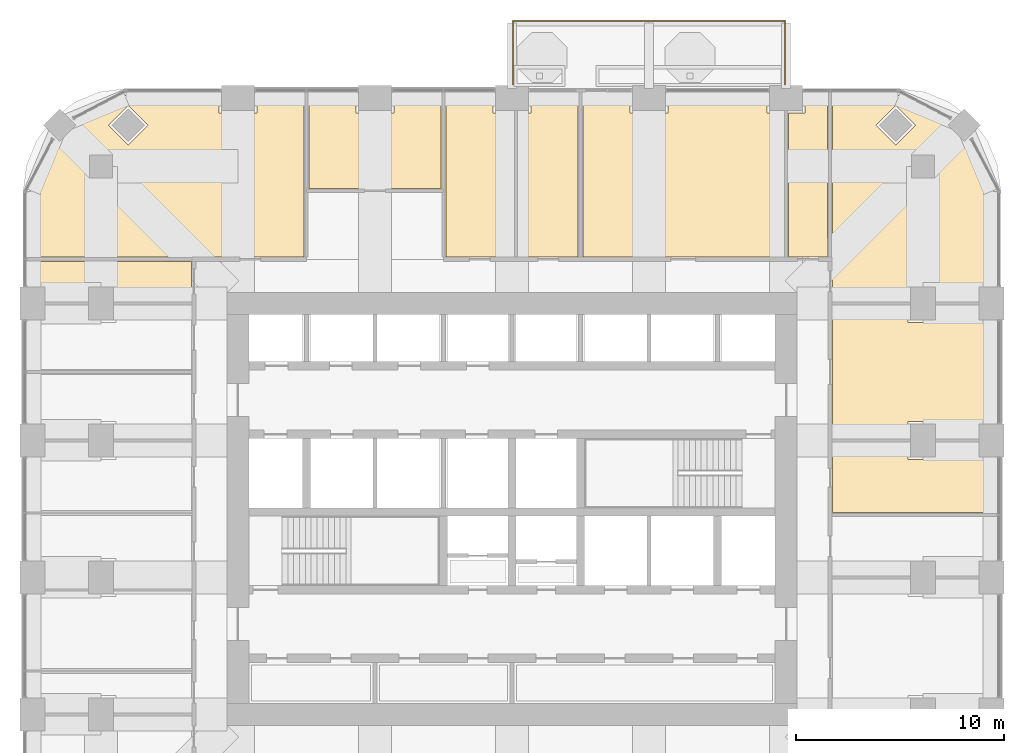
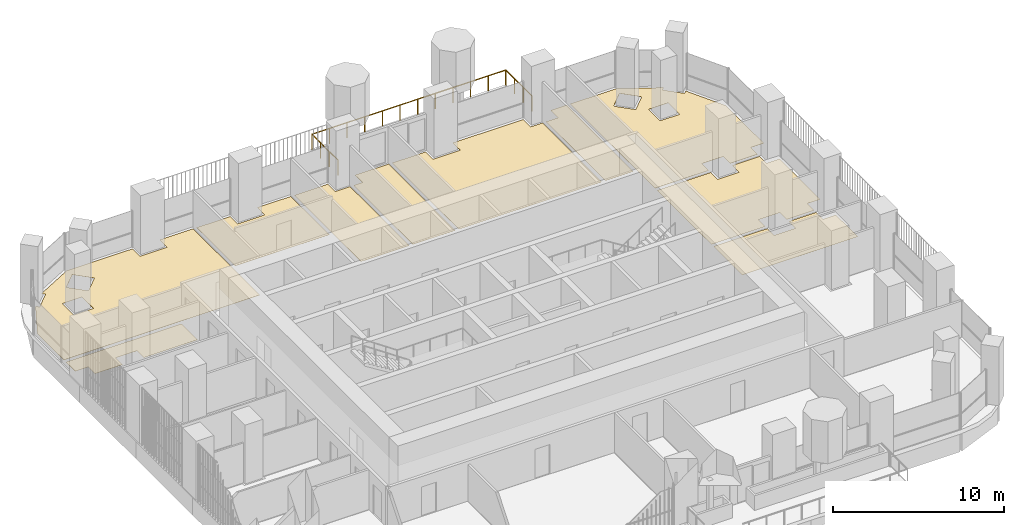
# One storey, part 19 of 20: 10 coverings, 1 railing.
"""IFC4 building model written with IfcOpenShell, lengths in metres."""

from ifc_helpers import new_model, si_unit, direction, frame, origin, place, context, subcontext, project, spatial, polyline, outline, extrude, material, layer, layer_set, type_object, element, save


model = new_model("IFC4")

# Units and contexts
model_context = context("Model", 3, precision=1e-05, world=origin(), true_north=direction((0.0, 1.0)))
body_context = subcontext(model_context, "Body", "Model", "MODEL_VIEW")
ifc_project = project(units=[si_unit("LENGTHUNIT", "METRE"), si_unit("AREAUNIT", "SQUARE_METRE"), si_unit("VOLUMEUNIT", "CUBIC_METRE"), si_unit("PLANEANGLEUNIT", "RADIAN"), si_unit("MASSUNIT", "GRAM", prefix="KILO")], contexts=[model_context])

# Site, building, storey
site_placement = place(None, origin())
site = spatial("IfcSite", under=ifc_project, at=site_placement, CompositionType="ELEMENT")
building_placement = place(site_placement, origin())
building = spatial("IfcBuilding", under=site, at=building_placement, Name="Cobogo Forest Laboratory Tower", CompositionType="ELEMENT")
storey_placement = place(building_placement, frame((0.0, 0.0, 214.5)))
storey = spatial("IfcBuildingStorey", under=building, at=storey_placement, Name="L49", CompositionType="ELEMENT", Elevation=214.5)

# Railing
ifc_material_1 = material(Name="Laminated glass balustrade", Category="glass")
railing_type = type_object("IfcRailingType", Name="BG1 glass balustrade 1100", PredefinedType="GUARDRAIL", material=ifc_material_1)
railing_placement = place(storey_placement, frame((26.449951171875, 43.550048828125, 0.0)))
element("IfcRailing", 1, at=railing_placement, inside=storey, type_object=railing_type, Name="Balcony balustrade BAL-N1 L49", PredefinedType="GUARDRAIL", context=body_context, shape_type="SweptSolid", body=[
    extrude(outline(polyline([(0.022216796875, 0.00927734375), (0.00927734375, 0.022216796875), (-0.00927734375, 0.022216796875), (-0.022216796875, 0.00927734375), (-0.022216796875, -0.00927734375), (-0.00927734375, -0.022216796875), (0.00927734375, -0.022216796875), (0.022216796875, -0.00927734375), (0.022216796875, 0.00927734375)])), frame((0.0, 0.0, 1.077880859375), z_axis=(0.0, 1.0, 0.0), x_axis=(-1.0, 0.0, 0.0)), (0.0, 0.0, 1.0), 3.050048828125),
    extrude(outline(polyline([(0.022216796875, 0.00927734375), (0.00927734375, 0.022216796875), (-0.00927734375, 0.022216796875), (-0.022216796875, 0.00927734375), (-0.022216796875, -0.00927734375), (-0.00927734375, -0.022216796875), (0.00927734375, -0.022216796875), (0.022216796875, -0.00927734375), (0.022216796875, 0.00927734375)])), frame((0.0, 3.050048828125, 1.077880859375), z_axis=(1.0, 0.0, 0.0), x_axis=(0.0, 1.0, 0.0)), (0.0, 0.0, 1.0), 13.10009765625),
    extrude(outline(polyline([(0.022216796875, 0.00927734375), (0.00927734375, 0.022216796875), (-0.00927734375, 0.022216796875), (-0.022216796875, 0.00927734375), (-0.022216796875, -0.00927734375), (-0.00927734375, -0.022216796875), (0.00927734375, -0.022216796875), (0.022216796875, -0.00927734375), (0.022216796875, 0.00927734375)])), frame((13.10009765625, 3.050048828125, 1.077880859375), z_axis=(0.0, -1.0, 0.0), x_axis=(1.0, 0.0, 0.0)), (0.0, 0.0, 1.0), 3.050048828125),
    extrude(outline(polyline([(0.019287109375, 0.008056640625), (0.008056640625, 0.019287109375), (-0.008056640625, 0.019287109375), (-0.019287109375, 0.008056640625), (-0.019287109375, -0.008056640625), (-0.008056640625, -0.019287109375), (0.008056640625, -0.019287109375), (0.019287109375, -0.008056640625), (0.019287109375, 0.008056640625)])), origin(), (0.0, 0.0, 1.0), 1.077880859375),
    extrude(outline(polyline([(0.019287109375, 0.008056640625), (0.008056640625, 0.019287109375), (-0.008056640625, 0.019287109375), (-0.019287109375, 0.008056640625), (-0.019287109375, -0.008056640625), (-0.008056640625, -0.019287109375), (0.008056640625, -0.019287109375), (0.019287109375, -0.008056640625), (0.019287109375, 0.008056640625)])), frame((0.0, 1.0166015625, 0.0)), (0.0, 0.0, 1.0), 1.077880859375),
    extrude(outline(polyline([(0.019287109375, 0.008056640625), (0.008056640625, 0.019287109375), (-0.008056640625, 0.019287109375), (-0.019287109375, 0.008056640625), (-0.019287109375, -0.008056640625), (-0.008056640625, -0.019287109375), (0.008056640625, -0.019287109375), (0.019287109375, -0.008056640625), (0.019287109375, 0.008056640625)])), frame((0.0, 2.033447265625, 0.0)), (0.0, 0.0, 1.0), 1.077880859375),
    extrude(outline(polyline([(0.019287109375, 0.008056640625), (0.008056640625, 0.019287109375), (-0.008056640625, 0.019287109375), (-0.019287109375, 0.008056640625), (-0.019287109375, -0.008056640625), (-0.008056640625, -0.019287109375), (0.008056640625, -0.019287109375), (0.019287109375, -0.008056640625), (0.019287109375, 0.008056640625)])), frame((0.0, 3.050048828125, 0.0)), (0.0, 0.0, 1.0), 1.077880859375),
    extrude(outline(polyline([(0.019287109375, 0.008056640625), (0.008056640625, 0.019287109375), (-0.008056640625, 0.019287109375), (-0.019287109375, 0.008056640625), (-0.019287109375, -0.008056640625), (-0.008056640625, -0.019287109375), (0.008056640625, -0.019287109375), (0.019287109375, -0.008056640625), (0.019287109375, 0.008056640625)])), frame((1.19091796875, 3.050048828125, 0.0)), (0.0, 0.0, 1.0), 1.077880859375),
    extrude(outline(polyline([(0.019287109375, 0.008056640625), (0.008056640625, 0.019287109375), (-0.008056640625, 0.019287109375), (-0.019287109375, 0.008056640625), (-0.019287109375, -0.008056640625), (-0.008056640625, -0.019287109375), (0.008056640625, -0.019287109375), (0.019287109375, -0.008056640625), (0.019287109375, 0.008056640625)])), frame((2.3818359375, 3.050048828125, 0.0)), (0.0, 0.0, 1.0), 1.077880859375),
    extrude(outline(polyline([(0.019287109375, 0.008056640625), (0.008056640625, 0.019287109375), (-0.008056640625, 0.019287109375), (-0.019287109375, 0.008056640625), (-0.019287109375, -0.008056640625), (-0.008056640625, -0.019287109375), (0.008056640625, -0.019287109375), (0.019287109375, -0.008056640625), (0.019287109375, 0.008056640625)])), frame((3.57275390625, 3.050048828125, 0.0)), (0.0, 0.0, 1.0), 1.077880859375),
    extrude(outline(polyline([(0.019287109375, 0.008056640625), (0.008056640625, 0.019287109375), (-0.008056640625, 0.019287109375), (-0.019287109375, 0.008056640625), (-0.019287109375, -0.008056640625), (-0.008056640625, -0.019287109375), (0.008056640625, -0.019287109375), (0.019287109375, -0.008056640625), (0.019287109375, 0.008056640625)])), frame((4.763671875, 3.050048828125, 0.0)), (0.0, 0.0, 1.0), 1.077880859375),
    extrude(outline(polyline([(0.019287109375, 0.008056640625), (0.008056640625, 0.019287109375), (-0.008056640625, 0.019287109375), (-0.019287109375, 0.008056640625), (-0.019287109375, -0.008056640625), (-0.008056640625, -0.019287109375), (0.008056640625, -0.019287109375), (0.019287109375, -0.008056640625), (0.019287109375, 0.008056640625)])), frame((5.95458984375, 3.050048828125, 0.0)), (0.0, 0.0, 1.0), 1.077880859375),
    extrude(outline(polyline([(0.019287109375, 0.008056640625), (0.008056640625, 0.019287109375), (-0.008056640625, 0.019287109375), (-0.019287109375, 0.008056640625), (-0.019287109375, -0.008056640625), (-0.008056640625, -0.019287109375), (0.008056640625, -0.019287109375), (0.019287109375, -0.008056640625), (0.019287109375, 0.008056640625)])), frame((7.1455078125, 3.050048828125, 0.0)), (0.0, 0.0, 1.0), 1.077880859375),
    extrude(outline(polyline([(0.019287109375, 0.008056640625), (0.008056640625, 0.019287109375), (-0.008056640625, 0.019287109375), (-0.019287109375, 0.008056640625), (-0.019287109375, -0.008056640625), (-0.008056640625, -0.019287109375), (0.008056640625, -0.019287109375), (0.019287109375, -0.008056640625), (0.019287109375, 0.008056640625)])), frame((8.33642578125, 3.050048828125, 0.0)), (0.0, 0.0, 1.0), 1.077880859375),
    extrude(outline(polyline([(0.019287109375, 0.008056640625), (0.008056640625, 0.019287109375), (-0.008056640625, 0.019287109375), (-0.019287109375, 0.008056640625), (-0.019287109375, -0.008056640625), (-0.008056640625, -0.019287109375), (0.008056640625, -0.019287109375), (0.019287109375, -0.008056640625), (0.019287109375, 0.008056640625)])), frame((9.52734375, 3.050048828125, 0.0)), (0.0, 0.0, 1.0), 1.077880859375),
    extrude(outline(polyline([(0.019287109375, 0.008056640625), (0.008056640625, 0.019287109375), (-0.008056640625, 0.019287109375), (-0.019287109375, 0.008056640625), (-0.019287109375, -0.008056640625), (-0.008056640625, -0.019287109375), (0.008056640625, -0.019287109375), (0.019287109375, -0.008056640625), (0.019287109375, 0.008056640625)])), frame((10.71826171875, 3.050048828125, 0.0)), (0.0, 0.0, 1.0), 1.077880859375),
    extrude(outline(polyline([(0.019287109375, 0.008056640625), (0.008056640625, 0.019287109375), (-0.008056640625, 0.019287109375), (-0.019287109375, 0.008056640625), (-0.019287109375, -0.008056640625), (-0.008056640625, -0.019287109375), (0.008056640625, -0.019287109375), (0.019287109375, -0.008056640625), (0.019287109375, 0.008056640625)])), frame((11.9091796875, 3.050048828125, 0.0)), (0.0, 0.0, 1.0), 1.077880859375),
    extrude(outline(polyline([(0.019287109375, 0.008056640625), (0.008056640625, 0.019287109375), (-0.008056640625, 0.019287109375), (-0.019287109375, 0.008056640625), (-0.019287109375, -0.008056640625), (-0.008056640625, -0.019287109375), (0.008056640625, -0.019287109375), (0.019287109375, -0.008056640625), (0.019287109375, 0.008056640625)])), frame((13.10009765625, 3.050048828125, 0.0)), (0.0, 0.0, 1.0), 1.077880859375),
    extrude(outline(polyline([(0.019287109375, 0.008056640625), (0.008056640625, 0.019287109375), (-0.008056640625, 0.019287109375), (-0.019287109375, 0.008056640625), (-0.019287109375, -0.008056640625), (-0.008056640625, -0.019287109375), (0.008056640625, -0.019287109375), (0.019287109375, -0.008056640625), (0.019287109375, 0.008056640625)])), frame((13.10009765625, 2.033447265625, 0.0)), (0.0, 0.0, 1.0), 1.077880859375),
    extrude(outline(polyline([(0.019287109375, 0.008056640625), (0.008056640625, 0.019287109375), (-0.008056640625, 0.019287109375), (-0.019287109375, 0.008056640625), (-0.019287109375, -0.008056640625), (-0.008056640625, -0.019287109375), (0.008056640625, -0.019287109375), (0.019287109375, -0.008056640625), (0.019287109375, 0.008056640625)])), frame((13.10009765625, 1.0166015625, 0.0)), (0.0, 0.0, 1.0), 1.077880859375),
    extrude(outline(polyline([(0.019287109375, 0.008056640625), (0.008056640625, 0.019287109375), (-0.008056640625, 0.019287109375), (-0.019287109375, 0.008056640625), (-0.019287109375, -0.008056640625), (-0.008056640625, -0.019287109375), (0.008056640625, -0.019287109375), (0.019287109375, -0.008056640625), (0.019287109375, 0.008056640625)])), frame((13.10009765625, 0.0, 0.0)), (0.0, 0.0, 1.0), 1.077880859375),
])

# Coverings
ifc_material_2 = material(Name="Carpet tile on raised access floor", Category="flooring")
ifc_layer_1 = layer(ifc_material_2, 0.008056640625)
ifc_layer_set_1 = layer_set([ifc_layer_1], Name="CT1 carpet tile floor 8")
covering_type_1 = type_object("IfcCoveringType", Name="CT1 carpet tile floor 8", PredefinedType="FLOORING", material=ifc_layer_set_1)
covering_1_placement = place(storey_placement, origin())
element("IfcCovering", 2, at=covering_1_placement, inside=storey, type_object=covering_type_1, Name="Carpet floor L49-10", PredefinedType="FLOORING", context=body_context, shape_type="SweptSolid", body=[
    extrude(outline(polyline([(41.844970703125, 43.050048828125), (44.95068359375, 43.050048828125), (47.412109375, 41.759765625), (47.234375, 41.58203125), (48.181884765625, 40.634521484375), (48.359619140625, 40.812255859375), (49.64990234375, 38.350830078125), (49.64990234375, 33.919921875), (48.780029296875, 33.919921875), (48.780029296875, 33.1201171875), (46.919921875, 33.1201171875), (46.919921875, 33.919921875), (45.47998046875, 33.919921875), (45.47998046875, 33.1201171875), (41.844970703125, 33.1201171875), (41.844970703125, 43.050048828125)]), holes=[polyline([(45.530029296875, 40.27001953125), (45.530029296875, 38.929931640625), (46.8701171875, 38.929931640625), (46.8701171875, 40.27001953125), (45.530029296875, 40.27001953125)]), polyline([(44.882080078125, 40.634521484375), (45.82958984375, 41.58203125), (44.882080078125, 42.529541015625), (43.9345703125, 41.58203125), (44.882080078125, 40.634521484375)])]), origin(), (0.0, 0.0, 1.0), 0.008056640625),
])
covering_2_placement = place(storey_placement, origin())
element("IfcCovering", 3, at=covering_2_placement, inside=storey, type_object=covering_type_1, Name="Carpet floor L49-11", PredefinedType="FLOORING", context=body_context, shape_type="SweptSolid", body=[
    extrude(outline(polyline([(3.14990234375, 35.2451171875), (3.14990234375, 38.350830078125), (4.440185546875, 40.812255859375), (4.617919921875, 40.634521484375), (5.5654296875, 41.58203125), (5.387939453125, 41.759765625), (7.84912109375, 43.050048828125), (12.280029296875, 43.050048828125), (12.280029296875, 42.179931640625), (14.1201171875, 42.179931640625), (14.1201171875, 43.050048828125), (16.3798828125, 43.050048828125), (16.3798828125, 35.2451171875), (3.14990234375, 35.2451171875)]), holes=[polyline([(7.91796875, 40.634521484375), (8.865478515625, 41.58203125), (7.91796875, 42.529541015625), (6.970458984375, 41.58203125), (7.91796875, 40.634521484375)]), polyline([(5.929931640625, 38.929931640625), (7.27001953125, 38.929931640625), (7.27001953125, 40.27001953125), (5.929931640625, 40.27001953125), (5.929931640625, 38.929931640625)])]), origin(), (0.0, 0.0, 1.0), 0.008056640625),
])
covering_3_placement = place(storey_placement, origin())
element("IfcCovering", 4, at=covering_3_placement, inside=storey, type_object=covering_type_1, Name="Carpet floor L49-12", PredefinedType="FLOORING", context=body_context, shape_type="SweptSolid", body=[
    extrude(outline(polyline([(16.6201171875, 38.544921875), (16.6201171875, 43.050048828125), (18.8798828125, 43.050048828125), (18.8798828125, 42.179931640625), (20.719970703125, 42.179931640625), (20.719970703125, 43.050048828125), (22.97998046875, 43.050048828125), (22.97998046875, 38.544921875), (16.6201171875, 38.544921875)])), origin(), (0.0, 0.0, 1.0), 0.008056640625),
])
covering_4_placement = place(storey_placement, origin())
element("IfcCovering", 5, at=covering_4_placement, inside=storey, type_object=covering_type_1, Name="Carpet floor L49-13", PredefinedType="FLOORING", context=body_context, shape_type="SweptSolid", body=[
    extrude(outline(polyline([(23.219970703125, 35.2451171875), (23.219970703125, 43.050048828125), (25.47998046875, 43.050048828125), (25.47998046875, 42.179931640625), (26.47998046875, 42.179931640625), (26.47998046875, 35.2451171875), (23.219970703125, 35.2451171875)])), origin(), (0.0, 0.0, 1.0), 0.008056640625),
])
covering_5_placement = place(storey_placement, origin())
element("IfcCovering", 6, at=covering_5_placement, inside=storey, type_object=covering_type_1, Name="Carpet floor L49-16", PredefinedType="FLOORING", context=body_context, shape_type="SweptSolid", body=[
    extrude(outline(polyline([(39.719970703125, 35.2451171875), (39.719970703125, 42.179931640625), (40.52001953125, 42.179931640625), (40.52001953125, 43.050048828125), (41.60498046875, 43.050048828125), (41.60498046875, 35.2451171875), (39.719970703125, 35.2451171875)])), origin(), (0.0, 0.0, 1.0), 0.008056640625),
])
ifc_material_3 = material(Name="Static-dissipative vinyl flooring", Category="flooring")
ifc_layer_2 = layer(ifc_material_3, 0.0029296875)
ifc_layer_set_2 = layer_set([ifc_layer_2], Name="SD1 static-dissipative vinyl floor 3")
covering_type_2 = type_object("IfcCoveringType", Name="SD1 static-dissipative vinyl floor 3", PredefinedType="FLOORING", material=ifc_layer_set_2)
covering_6_placement = place(storey_placement, origin())
element("IfcCovering", 7, at=covering_6_placement, inside=storey, type_object=covering_type_2, Name="Static-dissipative floor L49-08", PredefinedType="FLOORING", context=body_context, shape_type="SweptSolid", body=[
    extrude(outline(polyline([(41.844970703125, 26.280029296875), (45.47998046875, 26.280029296875), (45.47998046875, 25.47998046875), (46.919921875, 25.47998046875), (46.919921875, 26.280029296875), (48.780029296875, 26.280029296875), (48.780029296875, 25.47998046875), (49.64990234375, 25.47998046875), (49.64990234375, 22.919921875), (41.844970703125, 22.919921875), (41.844970703125, 26.280029296875)])), origin(), (0.0, 0.0, 1.0), 0.0029296875),
])
covering_7_placement = place(storey_placement, origin())
element("IfcCovering", 8, at=covering_7_placement, inside=storey, type_object=covering_type_2, Name="Static-dissipative floor L49-09", PredefinedType="FLOORING", context=body_context, shape_type="SweptSolid", body=[
    extrude(outline(polyline([(41.844970703125, 32.8798828125), (45.47998046875, 32.8798828125), (45.47998046875, 32.080078125), (46.919921875, 32.080078125), (46.919921875, 32.8798828125), (48.780029296875, 32.8798828125), (48.780029296875, 32.080078125), (49.64990234375, 32.080078125), (49.64990234375, 27.320068359375), (48.780029296875, 27.320068359375), (48.780029296875, 26.52001953125), (46.919921875, 26.52001953125), (46.919921875, 27.320068359375), (45.47998046875, 27.320068359375), (45.47998046875, 26.52001953125), (41.844970703125, 26.52001953125), (41.844970703125, 32.8798828125)])), origin(), (0.0, 0.0, 1.0), 0.0029296875),
])
covering_8_placement = place(storey_placement, origin())
element("IfcCovering", 9, at=covering_8_placement, inside=storey, type_object=covering_type_2, Name="Static-dissipative floor L49-15", PredefinedType="FLOORING", context=body_context, shape_type="SweptSolid", body=[
    extrude(outline(polyline([(29.820068359375, 35.2451171875), (29.820068359375, 43.050048828125), (32.080078125, 43.050048828125), (32.080078125, 42.179931640625), (33.919921875, 42.179931640625), (33.919921875, 43.050048828125), (38.679931640625, 43.050048828125), (38.679931640625, 42.179931640625), (39.47998046875, 42.179931640625), (39.47998046875, 35.2451171875), (29.820068359375, 35.2451171875)])), origin(), (0.0, 0.0, 1.0), 0.0029296875),
])
covering_9_placement = place(storey_placement, origin())
element("IfcCovering", 10, at=covering_9_placement, inside=storey, type_object=covering_type_2, Name="Static-dissipative floor L49-24", PredefinedType="FLOORING", context=body_context, shape_type="SweptSolid", body=[
    extrude(outline(polyline([(10.955078125, 33.1201171875), (7.320068359375, 33.1201171875), (7.320068359375, 33.919921875), (5.8798828125, 33.919921875), (5.8798828125, 33.1201171875), (4.02001953125, 33.1201171875), (4.02001953125, 33.919921875), (3.14990234375, 33.919921875), (3.14990234375, 35.0048828125), (10.955078125, 35.0048828125), (10.955078125, 33.1201171875)])), origin(), (0.0, 0.0, 1.0), 0.0029296875),
])
ifc_material_4 = material(Name="Ceramic floor tile", Category="flooring")
ifc_layer_3 = layer(ifc_material_4, 0.010009765625)
ifc_layer_set_3 = layer_set([ifc_layer_3], Name="TF1 ceramic tile floor 10")
covering_type_3 = type_object("IfcCoveringType", Name="TF1 ceramic tile floor 10", PredefinedType="FLOORING", material=ifc_layer_set_3)
covering_10_placement = place(storey_placement, origin())
element("IfcCovering", 11, at=covering_10_placement, inside=storey, type_object=covering_type_3, Name="Tile floor L49-14", PredefinedType="FLOORING", context=body_context, shape_type="SweptSolid", body=[
    extrude(outline(polyline([(26.719970703125, 35.2451171875), (26.719970703125, 42.179931640625), (27.320068359375, 42.179931640625), (27.320068359375, 43.050048828125), (29.580078125, 43.050048828125), (29.580078125, 35.2451171875), (26.719970703125, 35.2451171875)])), origin(), (0.0, 0.0, 1.0), 0.010009765625),
])

save(model, "model.ifc")
